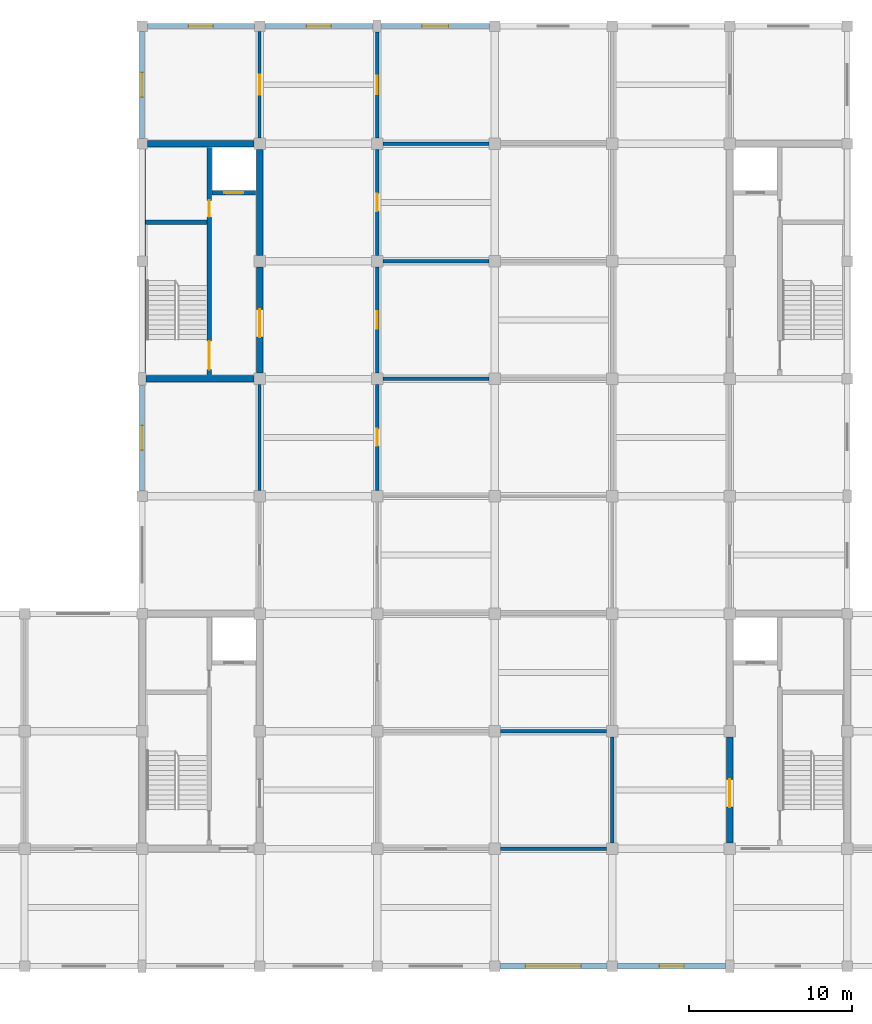
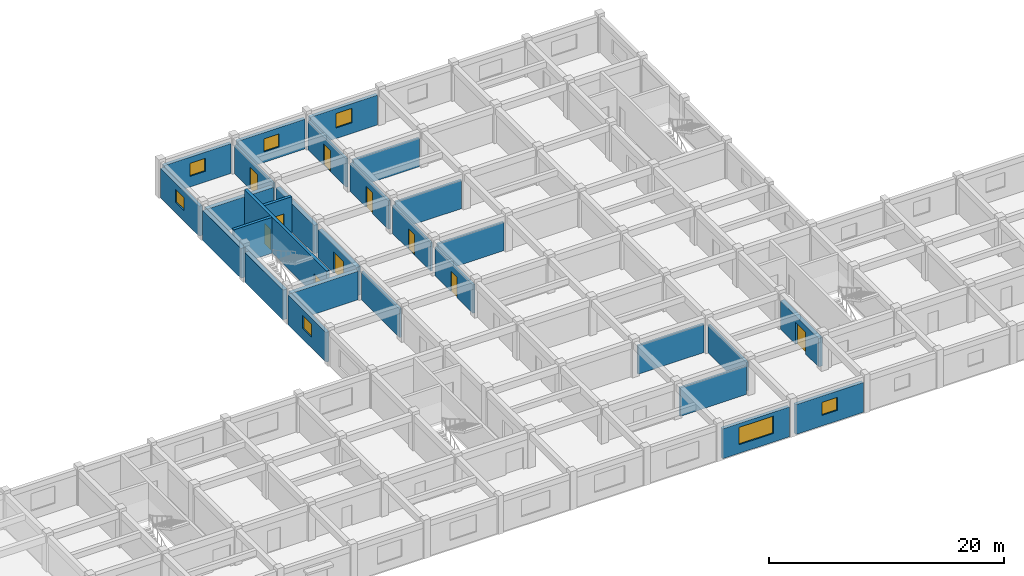
# One storey, part 6 of 11: 29 walls, 10 doors, 7 windows, 17 openings.
"""IFC4 building model written with IfcOpenShell, lengths in metres."""

from ifc_helpers import new_model, si_unit, direction, frame, frame_2d, origin, place, context, subcontext, project, spatial, rectangle, extrude, material, layer, layer_set, type_object, element, fill, save


model = new_model("IFC4")

# Units and contexts
model_context = context("Model", 3, precision=1e-05, world=origin(), true_north=direction((0.0, 1.0)))
body_context = subcontext(model_context, "Body", "Model", "MODEL_VIEW")
ifc_project = project(units=[si_unit("LENGTHUNIT", "METRE"), si_unit("AREAUNIT", "SQUARE_METRE"), si_unit("VOLUMEUNIT", "CUBIC_METRE"), si_unit("PLANEANGLEUNIT", "RADIAN"), si_unit("MASSUNIT", "GRAM", prefix="KILO")], contexts=[model_context])

# Site, building, storey
site_placement = place(None, origin())
site = spatial("IfcSite", under=ifc_project, at=site_placement, CompositionType="ELEMENT")
building_placement = place(site_placement, origin())
building = spatial("IfcBuilding", under=site, at=building_placement, Name="Cendaluz Park School", CompositionType="ELEMENT")
storey_placement = place(building_placement, frame((0.0, 0.0, 26.60009765625)))
storey = spatial("IfcBuildingStorey", under=building, at=storey_placement, Name="L06", CompositionType="ELEMENT", Elevation=26.60009765625)

# Wall
ifc_material_1 = material(Name="Gypsum Plasterboard on Cold-Formed Stud", Category="gypsum")
ifc_layer_1 = layer(ifc_material_1, 0.199951171875)
ifc_layer_set_1 = layer_set([ifc_layer_1], Name="Gypsum Plasterboard on Cold-Formed Stud")
wall_type_1 = type_object("IfcWallType", Name="W-AC20", PredefinedType="PARTITIONING", material=ifc_layer_set_1)
wall_1_placement = place(storey_placement, frame((72.0, 36.35009765625, 0.0), z_axis=(0.0, 0.0, 1.0), x_axis=(0.0, 1.0, 0.0)))
element("IfcWall", 1, at=wall_1_placement, inside=storey, type_object=wall_type_1, Name="WL-FG-BQ3", PredefinedType="PARTITIONING", context=body_context, shape_type="SweptSolid", body=[
    extrude(rectangle(XDim=6.5, YDim=0.199951171875, at=frame_2d((3.25, 0.0))), origin(), (0.0, 0.0, 1.0), 2.9599609375),
])

# Wall, opening, door
wall_2_placement = place(storey_placement, frame((72.0, 57.949951171875, 0.0), z_axis=(0.0, 0.0, 1.0), x_axis=(0.0, 1.0, 0.0)))
wall_2 = element("IfcWall", 2, at=wall_2_placement, inside=storey, type_object=wall_type_1, Name="WL-FG-BQ4", PredefinedType="PARTITIONING", context=body_context, shape_type="SweptSolid", body=[
    extrude(rectangle(XDim=6.525146484375, YDim=0.199951171875, at=frame_2d((3.2626953125, 0.0))), origin(), (0.0, 0.0, 1.0), 2.9599609375),
])
opening_1_placement = place(wall_2_placement, frame((2.642578125, 0.0, 0.0)))
opening_1 = element("IfcOpeningElement", 3, at=opening_1_placement, cuts=wall_2, Name="Opening DCL-09", PredefinedType="OPENING", context=body_context, shape_type="SweptSolid", body=[
    extrude(rectangle(XDim=1.239990234375, YDim=2.260009765625, at=frame_2d((0.6201171875, 1.1298828125))), frame((0.0, 0.112060546875, 0.0), z_axis=(0.0, -1.0, 0.0), x_axis=(1.0, 0.0, 0.0)), (0.0, 0.0, 1.0), 0.223876953125),
])
ifc_material_2 = material(Name="Solid Core Hardwood", Category="wood")
door_type_1 = type_object("IfcDoorType", Name="DCL-09", OperationType="NOTDEFINED", PredefinedType="DOOR", material=ifc_material_2)
door_1_placement = place(opening_1_placement, origin())
door_1 = element("IfcDoor", 4, at=door_1_placement, inside=storey, type_object=door_type_1, Name="D-L06-038", OperationType="SINGLE_SWING_RIGHT", OverallHeight=2.260009765625, OverallWidth=1.239990234375, PredefinedType="DOOR", context=body_context, shape_type="SweptSolid", body=[
    extrude(rectangle(XDim=1.239990234375, YDim=2.260009765625, at=frame_2d((0.6201171875, 1.1298828125))), frame((0.0, 0.02490234375, 0.0), z_axis=(0.0, -1.0, 0.0), x_axis=(1.0, 0.0, 0.0)), (0.0, 0.0, 1.0), 0.050048828125),
])
fill(opening_1, door_1)

# Walls
for number, where, z_axis, x_axis, name in (
    (5, (86.75, 14.39990234375, 0.0), (0.0, 0.0, 1.0), (1.0, 0.0, 0.0), "WL-FG-BQ8"),
    (6, (86.75, 21.60009765625, 0.0), (0.0, 0.0, 1.0), (1.0, 0.0, 0.0), "WL-FG-BQ9"),
    (7, (93.60009765625, 14.75, 0.0), (0.0, 0.0, 1.0), (0.0, 1.0, 0.0), "WL-FG-BR0"),
    (8, (79.550048828125, 43.199951171875, 0.0), (0.0, 0.0, 1.0), (1.0, 0.0, 0.0), "WL-FG-BR9"),
):
    element("IfcWall", number, at=place(storey_placement, frame(where, z_axis=z_axis, x_axis=x_axis)), inside=storey, type_object=wall_type_1, Name=name, PredefinedType="PARTITIONING", context=body_context, shape_type="SweptSolid", body=[
        extrude(rectangle(XDim=6.5, YDim=0.199951171875, at=frame_2d((3.25, 0.0))), origin(), (0.0, 0.0, 1.0), 2.9599609375),
    ])

# Wall, opening, door
wall_3_placement = place(storey_placement, frame((79.199951171875, 36.35009765625, 0.0), z_axis=(0.0, 0.0, 1.0), x_axis=(0.0, 1.0, 0.0)))
wall_3 = element("IfcWall", 9, at=wall_3_placement, inside=storey, type_object=wall_type_1, Name="WL-FG-BS0", PredefinedType="PARTITIONING", context=body_context, shape_type="SweptSolid", body=[
    extrude(rectangle(XDim=6.5, YDim=0.199951171875, at=frame_2d((3.25, 0.0))), origin(), (0.0, 0.0, 1.0), 2.9599609375),
])
opening_2_placement = place(wall_3_placement, frame((2.72998046875, 0.0, 0.0)))
opening_2 = element("IfcOpeningElement", 10, at=opening_2_placement, cuts=wall_3, Name="Opening DCL-03", PredefinedType="OPENING", context=body_context, shape_type="SweptSolid", body=[
    extrude(rectangle(XDim=1.0400390625, YDim=2.139892578125, at=frame_2d((0.52001953125, 1.06982421875))), frame((0.0, 0.112060546875, 0.0), z_axis=(0.0, -1.0, 0.0), x_axis=(1.0, 0.0, 0.0)), (0.0, 0.0, 1.0), 0.223876953125),
])
door_type_2 = type_object("IfcDoorType", Name="DCL-03", OperationType="NOTDEFINED", PredefinedType="DOOR", material=ifc_material_2)
door_2_placement = place(opening_2_placement, frame((1.0400390625, 0.0, 0.0), z_axis=(0.0, 0.0, 1.0), x_axis=(-1.0, 0.0, 0.0)))
door_2 = element("IfcDoor", 11, at=door_2_placement, inside=storey, type_object=door_type_2, Name="D-L06-042", OperationType="SINGLE_SWING_RIGHT", OverallHeight=2.139892578125, OverallWidth=1.0400390625, PredefinedType="DOOR", context=body_context, shape_type="SweptSolid", body=[
    extrude(rectangle(XDim=1.0400390625, YDim=2.139892578125, at=frame_2d((0.52001953125, 1.06982421875))), frame((0.0, 0.02490234375, 0.0), z_axis=(0.0, -1.0, 0.0), x_axis=(1.0, 0.0, 0.0)), (0.0, 0.0, 1.0), 0.050048828125),
])
fill(opening_2, door_2)

# Wall
wall_4_placement = place(storey_placement, frame((79.550048828125, 50.39990234375, 0.0), z_axis=(0.0, 0.0, 1.0), x_axis=(1.0, 0.0, 0.0)))
element("IfcWall", 12, at=wall_4_placement, inside=storey, type_object=wall_type_1, Name="WL-FG-BS3", PredefinedType="PARTITIONING", context=body_context, shape_type="SweptSolid", body=[
    extrude(rectangle(XDim=6.5, YDim=0.199951171875, at=frame_2d((3.25, 0.0))), origin(), (0.0, 0.0, 1.0), 2.9599609375),
])

# Wall, opening, door
wall_5_placement = place(storey_placement, frame((79.199951171875, 43.550048828125, 0.0), z_axis=(0.0, 0.0, 1.0), x_axis=(0.0, 1.0, 0.0)))
wall_5 = element("IfcWall", 13, at=wall_5_placement, inside=storey, type_object=wall_type_1, Name="WL-FG-BS4", PredefinedType="PARTITIONING", context=body_context, shape_type="SweptSolid", body=[
    extrude(rectangle(XDim=6.5, YDim=0.199951171875, at=frame_2d((3.25, 0.0))), origin(), (0.0, 0.0, 1.0), 2.9599609375),
])
opening_3_placement = place(wall_5_placement, frame((2.719970703125, 0.0, 0.0)))
opening_3 = element("IfcOpeningElement", 14, at=opening_3_placement, cuts=wall_5, Name="Opening DCL-04", PredefinedType="OPENING", context=body_context, shape_type="SweptSolid", body=[
    extrude(rectangle(XDim=1.06005859375, YDim=2.159912109375, at=frame_2d((0.530029296875, 1.080078125))), frame((0.0, 0.112060546875, 0.0), z_axis=(0.0, -1.0, 0.0), x_axis=(1.0, 0.0, 0.0)), (0.0, 0.0, 1.0), 0.223876953125),
])
door_type_3 = type_object("IfcDoorType", Name="DCL-04", OperationType="NOTDEFINED", PredefinedType="DOOR", material=ifc_material_2)
door_3_placement = place(opening_3_placement, frame((1.06005859375, 0.0, 0.0), z_axis=(0.0, 0.0, 1.0), x_axis=(-1.0, 0.0, 0.0)))
door_3 = element("IfcDoor", 15, at=door_3_placement, inside=storey, type_object=door_type_3, Name="D-L06-043", OperationType="SINGLE_SWING_LEFT", OverallHeight=2.159912109375, OverallWidth=1.06005859375, PredefinedType="DOOR", context=body_context, shape_type="SweptSolid", body=[
    extrude(rectangle(XDim=1.06005859375, YDim=2.159912109375, at=frame_2d((0.530029296875, 1.080078125))), frame((0.0, 0.02490234375, 0.0), z_axis=(0.0, -1.0, 0.0), x_axis=(1.0, 0.0, 0.0)), (0.0, 0.0, 1.0), 0.050048828125),
])
fill(opening_3, door_3)

# Wall
wall_6_placement = place(storey_placement, frame((79.550048828125, 57.60009765625, 0.0), z_axis=(0.0, 0.0, 1.0), x_axis=(1.0, 0.0, 0.0)))
element("IfcWall", 16, at=wall_6_placement, inside=storey, type_object=wall_type_1, Name="WL-FG-BS7", PredefinedType="PARTITIONING", context=body_context, shape_type="SweptSolid", body=[
    extrude(rectangle(XDim=6.5, YDim=0.199951171875, at=frame_2d((3.25, 0.0))), origin(), (0.0, 0.0, 1.0), 2.9599609375),
])

# Wall, opening, door
wall_7_placement = place(storey_placement, frame((79.199951171875, 50.75, 0.0), z_axis=(0.0, 0.0, 1.0), x_axis=(0.0, 1.0, 0.0)))
wall_7 = element("IfcWall", 17, at=wall_7_placement, inside=storey, type_object=wall_type_1, Name="WL-FG-BS8", PredefinedType="PARTITIONING", context=body_context, shape_type="SweptSolid", body=[
    extrude(rectangle(XDim=6.5, YDim=0.199951171875, at=frame_2d((3.25, 0.0))), origin(), (0.0, 0.0, 1.0), 2.9599609375),
])
opening_4_placement = place(wall_7_placement, frame((2.7099609375, 0.0, 0.0)))
opening_4 = element("IfcOpeningElement", 18, at=opening_4_placement, cuts=wall_7, Name="Opening DCL-05", PredefinedType="OPENING", context=body_context, shape_type="SweptSolid", body=[
    extrude(rectangle(XDim=1.080078125, YDim=2.179931640625, at=frame_2d((0.5400390625, 1.08984375))), frame((0.0, 0.112060546875, 0.0), z_axis=(0.0, -1.0, 0.0), x_axis=(1.0, 0.0, 0.0)), (0.0, 0.0, 1.0), 0.223876953125),
])
door_type_4 = type_object("IfcDoorType", Name="DCL-05", OperationType="NOTDEFINED", PredefinedType="DOOR", material=ifc_material_2)
door_4_placement = place(opening_4_placement, frame((1.080078125, 0.0, 0.0), z_axis=(0.0, 0.0, 1.0), x_axis=(-1.0, 0.0, 0.0)))
door_4 = element("IfcDoor", 19, at=door_4_placement, inside=storey, type_object=door_type_4, Name="D-L06-044", OperationType="SINGLE_SWING_RIGHT", OverallHeight=2.179931640625, OverallWidth=1.080078125, PredefinedType="DOOR", context=body_context, shape_type="SweptSolid", body=[
    extrude(rectangle(XDim=1.080078125, YDim=2.179931640625, at=frame_2d((0.5400390625, 1.08984375))), frame((0.0, 0.02490234375, 0.0), z_axis=(0.0, -1.0, 0.0), x_axis=(1.0, 0.0, 0.0)), (0.0, 0.0, 1.0), 0.050048828125),
])
fill(opening_4, door_4)

wall_8_placement = place(storey_placement, frame((79.199951171875, 57.949951171875, 0.0), z_axis=(0.0, 0.0, 1.0), x_axis=(0.0, 1.0, 0.0)))
wall_8 = element("IfcWall", 20, at=wall_8_placement, inside=storey, type_object=wall_type_1, Name="WL-FG-BT1", PredefinedType="PARTITIONING", context=body_context, shape_type="SweptSolid", body=[
    extrude(rectangle(XDim=6.47509765625, YDim=0.199951171875, at=frame_2d((3.237548828125, 0.0))), origin(), (0.0, 0.0, 1.0), 2.9599609375),
])
opening_5_placement = place(wall_8_placement, frame((2.677490234375, 0.0, 0.0)))
opening_5 = element("IfcOpeningElement", 21, at=opening_5_placement, cuts=wall_8, Name="Opening DCL-06", PredefinedType="OPENING", context=body_context, shape_type="SweptSolid", body=[
    extrude(rectangle(XDim=1.1201171875, YDim=2.199951171875, at=frame_2d((0.56005859375, 1.10009765625))), frame((0.0, 0.112060546875, 0.0), z_axis=(0.0, -1.0, 0.0), x_axis=(1.0, 0.0, 0.0)), (0.0, 0.0, 1.0), 0.223876953125),
])
door_type_5 = type_object("IfcDoorType", Name="DCL-06", OperationType="NOTDEFINED", PredefinedType="DOOR", material=ifc_material_2)
door_5_placement = place(opening_5_placement, frame((1.1201171875, 0.0, 0.0), z_axis=(0.0, 0.0, 1.0), x_axis=(-1.0, 0.0, 0.0)))
door_5 = element("IfcDoor", 22, at=door_5_placement, inside=storey, type_object=door_type_5, Name="D-L06-045", OperationType="SINGLE_SWING_LEFT", OverallHeight=2.199951171875, OverallWidth=1.1201171875, PredefinedType="DOOR", context=body_context, shape_type="SweptSolid", body=[
    extrude(rectangle(XDim=1.1201171875, YDim=2.199951171875, at=frame_2d((0.56005859375, 1.10009765625))), frame((0.0, 0.02490234375, 0.0), z_axis=(0.0, -1.0, 0.0), x_axis=(1.0, 0.0, 0.0)), (0.0, 0.0, 1.0), 0.050048828125),
])
fill(opening_5, door_5)

# Wall, opening, window
ifc_material_3 = material(Name="Concrete C40/50 precast", Category="concrete")
ifc_layer_2 = layer(ifc_material_3, 0.320068359375)
ifc_layer_set_2 = layer_set([ifc_layer_2], Name="Concrete C40/50 precast")
wall_type_2 = type_object("IfcWallType", Name="W-EX32", PredefinedType="SOLIDWALL", material=ifc_layer_set_2)
wall_9_placement = place(storey_placement, frame((64.800048828125, 36.324951171875, 0.0), z_axis=(0.0, 0.0, 1.0), x_axis=(0.0, 1.0, 0.0)))
wall_9 = element("IfcWall", 23, at=wall_9_placement, inside=storey, type_object=wall_type_2, Name="WL-FG-AB6", PredefinedType="SOLIDWALL", context=body_context, shape_type="SweptSolid", body=[
    extrude(rectangle(XDim=6.5, YDim=0.320068359375, at=frame_2d((3.25, 0.0))), origin(), (0.0, 0.0, 1.0), 3.099853515625),
])
opening_6_placement = place(wall_9_placement, frame((2.5, 0.0, 1.10009765625)))
opening_6 = element("IfcOpeningElement", 24, at=opening_6_placement, cuts=wall_9, Name="Opening WN-20", PredefinedType="OPENING", context=body_context, shape_type="SweptSolid", body=[
    extrude(rectangle(XDim=1.5, YDim=1.35009765625, at=frame_2d((0.75, 0.675048828125))), frame((0.0, 0.172119140625, 0.0), z_axis=(0.0, -1.0, 0.0), x_axis=(1.0, 0.0, 0.0)), (0.0, 0.0, 1.0), 0.343994140625),
])
ifc_material_4 = material(Name="Tempered Low-E Double Glazing", Category="glass")
window_type_1 = type_object("IfcWindowType", Name="WN-20", PartitioningType="SINGLE_PANEL", PredefinedType="WINDOW", material=ifc_material_4)
window_1_placement = place(opening_6_placement, origin())
window_1 = element("IfcWindow", 25, at=window_1_placement, inside=storey, type_object=window_type_1, Name="WN-L06-017", OverallHeight=1.35009765625, OverallWidth=1.5, PartitioningType="SINGLE_PANEL", PredefinedType="WINDOW", context=body_context, shape_type="SweptSolid", body=[
    extrude(rectangle(XDim=1.5, YDim=1.35009765625, at=frame_2d((0.75, 0.675048828125))), frame((0.0, 0.030029296875, 0.0), z_axis=(0.0, -1.0, 0.0), x_axis=(1.0, 0.0, 0.0)), (0.0, 0.0, 1.0), 0.06005859375),
])
fill(opening_6, window_1)

wall_10_placement = place(storey_placement, frame((65.125, 64.800048828125, 0.0), z_axis=(0.0, 0.0, 1.0), x_axis=(1.0, 0.0, 0.0)))
wall_10 = element("IfcWall", 26, at=wall_10_placement, inside=storey, type_object=wall_type_2, Name="WL-FG-AB7", PredefinedType="SOLIDWALL", context=body_context, shape_type="SweptSolid", body=[
    extrude(rectangle(XDim=6.550048828125, YDim=0.320068359375, at=frame_2d((3.27490234375, 0.0))), origin(), (0.0, 0.0, 1.0), 3.099853515625),
])
opening_7_placement = place(wall_10_placement, frame((2.52490234375, 0.0, 1.10009765625)))
opening_7 = element("IfcOpeningElement", 27, at=opening_7_placement, cuts=wall_10, Name="Opening WN-20", PredefinedType="OPENING", context=body_context, shape_type="SweptSolid", body=[
    extrude(rectangle(XDim=1.5, YDim=1.35009765625, at=frame_2d((0.75, 0.675048828125))), frame((0.0, 0.172119140625, 0.0), z_axis=(0.0, -1.0, 0.0), x_axis=(1.0, 0.0, 0.0)), (0.0, 0.0, 1.0), 0.343994140625),
])
window_2_placement = place(opening_7_placement, origin())
window_2 = element("IfcWindow", 28, at=window_2_placement, inside=storey, type_object=window_type_1, Name="WN-L06-018", OverallHeight=1.35009765625, OverallWidth=1.5, PartitioningType="SINGLE_PANEL", PredefinedType="WINDOW", context=body_context, shape_type="SweptSolid", body=[
    extrude(rectangle(XDim=1.5, YDim=1.35009765625, at=frame_2d((0.75, 0.675048828125))), frame((0.0, 0.030029296875, 0.0), z_axis=(0.0, -1.0, 0.0), x_axis=(1.0, 0.0, 0.0)), (0.0, 0.0, 1.0), 0.06005859375),
])
fill(opening_7, window_2)

wall_11_placement = place(storey_placement, frame((64.800048828125, 57.925048828125, 0.0), z_axis=(0.0, 0.0, 1.0), x_axis=(0.0, 1.0, 0.0)))
wall_11 = element("IfcWall", 29, at=wall_11_placement, inside=storey, type_object=wall_type_2, Name="WL-FG-AB8", PredefinedType="SOLIDWALL", context=body_context, shape_type="SweptSolid", body=[
    extrude(rectangle(XDim=6.550048828125, YDim=0.320068359375, at=frame_2d((3.27490234375, 0.0))), origin(), (0.0, 0.0, 1.0), 3.099853515625),
])
opening_8_placement = place(wall_11_placement, frame((2.52490234375, 0.0, 1.10009765625)))
opening_8 = element("IfcOpeningElement", 30, at=opening_8_placement, cuts=wall_11, Name="Opening WN-20", PredefinedType="OPENING", context=body_context, shape_type="SweptSolid", body=[
    extrude(rectangle(XDim=1.5, YDim=1.35009765625, at=frame_2d((0.75, 0.675048828125))), frame((0.0, 0.172119140625, 0.0), z_axis=(0.0, -1.0, 0.0), x_axis=(1.0, 0.0, 0.0)), (0.0, 0.0, 1.0), 0.343994140625),
])
window_3_placement = place(opening_8_placement, origin())
window_3 = element("IfcWindow", 31, at=window_3_placement, inside=storey, type_object=window_type_1, Name="WN-L06-019", OverallHeight=1.35009765625, OverallWidth=1.5, PartitioningType="SINGLE_PANEL", PredefinedType="WINDOW", context=body_context, shape_type="SweptSolid", body=[
    extrude(rectangle(XDim=1.5, YDim=1.35009765625, at=frame_2d((0.75, 0.675048828125))), frame((0.0, 0.030029296875, 0.0), z_axis=(0.0, -1.0, 0.0), x_axis=(1.0, 0.0, 0.0)), (0.0, 0.0, 1.0), 0.06005859375),
])
fill(opening_8, window_3)

wall_12_placement = place(storey_placement, frame((72.324951171875, 64.800048828125, 0.0), z_axis=(0.0, 0.0, 1.0), x_axis=(1.0, 0.0, 0.0)))
wall_12 = element("IfcWall", 32, at=wall_12_placement, inside=storey, type_object=wall_type_2, Name="WL-FG-AC0", PredefinedType="SOLIDWALL", context=body_context, shape_type="SweptSolid", body=[
    extrude(rectangle(XDim=6.625, YDim=0.320068359375, at=frame_2d((3.3125, 0.0))), origin(), (0.0, 0.0, 1.0), 3.099853515625),
])
opening_9_placement = place(wall_12_placement, frame((2.5625, 0.0, 1.10009765625)))
opening_9 = element("IfcOpeningElement", 33, at=opening_9_placement, cuts=wall_12, Name="Opening WN-20", PredefinedType="OPENING", context=body_context, shape_type="SweptSolid", body=[
    extrude(rectangle(XDim=1.5, YDim=1.35009765625, at=frame_2d((0.75, 0.675048828125))), frame((0.0, 0.172119140625, 0.0), z_axis=(0.0, -1.0, 0.0), x_axis=(1.0, 0.0, 0.0)), (0.0, 0.0, 1.0), 0.343994140625),
])
window_4_placement = place(opening_9_placement, origin())
window_4 = element("IfcWindow", 34, at=window_4_placement, inside=storey, type_object=window_type_1, Name="WN-L06-021", OverallHeight=1.35009765625, OverallWidth=1.5, PartitioningType="SINGLE_PANEL", PredefinedType="WINDOW", context=body_context, shape_type="SweptSolid", body=[
    extrude(rectangle(XDim=1.5, YDim=1.35009765625, at=frame_2d((0.75, 0.675048828125))), frame((0.0, 0.030029296875, 0.0), z_axis=(0.0, -1.0, 0.0), x_axis=(1.0, 0.0, 0.0)), (0.0, 0.0, 1.0), 0.06005859375),
])
fill(opening_9, window_4)

wall_13_placement = place(storey_placement, frame((79.449951171875, 64.800048828125, 0.0), z_axis=(0.0, 0.0, 1.0), x_axis=(1.0, 0.0, 0.0)))
wall_13 = element("IfcWall", 35, at=wall_13_placement, inside=storey, type_object=wall_type_2, Name="WL-FG-AC2", PredefinedType="SOLIDWALL", context=body_context, shape_type="SweptSolid", body=[
    extrude(rectangle(XDim=6.625, YDim=0.320068359375, at=frame_2d((3.3125, 0.0))), origin(), (0.0, 0.0, 1.0), 3.099853515625),
])
opening_10_placement = place(wall_13_placement, frame((2.512451171875, 0.0, 1.10009765625)))
opening_10 = element("IfcOpeningElement", 36, at=opening_10_placement, cuts=wall_13, Name="Opening WN-16", PredefinedType="OPENING", context=body_context, shape_type="SweptSolid", body=[
    extrude(rectangle(XDim=1.60009765625, YDim=1.5, at=frame_2d((0.800048828125, 0.75))), frame((0.0, 0.172119140625, 0.0), z_axis=(0.0, -1.0, 0.0), x_axis=(1.0, 0.0, 0.0)), (0.0, 0.0, 1.0), 0.343994140625),
])
window_type_2 = type_object("IfcWindowType", Name="WN-16", PartitioningType="SINGLE_PANEL", PredefinedType="WINDOW", material=ifc_material_4)
window_5_placement = place(opening_10_placement, origin())
window_5 = element("IfcWindow", 37, at=window_5_placement, inside=storey, type_object=window_type_2, Name="WN-L06-023", OverallHeight=1.5, OverallWidth=1.60009765625, PartitioningType="SINGLE_PANEL", PredefinedType="WINDOW", context=body_context, shape_type="SweptSolid", body=[
    extrude(rectangle(XDim=1.60009765625, YDim=1.5, at=frame_2d((0.800048828125, 0.75))), frame((0.0, 0.030029296875, 0.0), z_axis=(0.0, -1.0, 0.0), x_axis=(1.0, 0.0, 0.0)), (0.0, 0.0, 1.0), 0.06005859375),
])
fill(opening_10, window_5)

wall_14_placement = place(storey_placement, frame((86.72509765625, 7.199951171875, 0.0), z_axis=(0.0, 0.0, 1.0), x_axis=(1.0, 0.0, 0.0)))
wall_14 = element("IfcWall", 38, at=wall_14_placement, inside=storey, type_object=wall_type_2, Name="WL-FG-AC3", PredefinedType="SOLIDWALL", context=body_context, shape_type="SweptSolid", body=[
    extrude(rectangle(XDim=6.5498046875, YDim=0.320068359375, at=frame_2d((3.27490234375, 0.0))), origin(), (0.0, 0.0, 1.0), 3.099853515625),
])
opening_11_placement = place(wall_14_placement, frame((1.574951171875, 0.0, 0.89990234375)))
opening_11 = element("IfcOpeningElement", 39, at=opening_11_placement, cuts=wall_14, Name="Opening WN-09", PredefinedType="OPENING", context=body_context, shape_type="SweptSolid", body=[
    extrude(rectangle(XDim=3.39990234375, YDim=1.800048828125, at=frame_2d((1.699951171875, 0.89990234375))), frame((0.0, 0.172119140625, 0.0), z_axis=(0.0, -1.0, 0.0), x_axis=(1.0, 0.0, 0.0)), (0.0, 0.0, 1.0), 0.343994140625),
])
window_type_3 = type_object("IfcWindowType", Name="WN-09", PartitioningType="SINGLE_PANEL", PredefinedType="WINDOW", material=ifc_material_4)
window_6_placement = place(opening_11_placement, origin())
window_6 = element("IfcWindow", 40, at=window_6_placement, inside=storey, type_object=window_type_3, Name="WN-L06-024", OverallHeight=1.800048828125, OverallWidth=3.39990234375, PartitioningType="SINGLE_PANEL", PredefinedType="WINDOW", context=body_context, shape_type="SweptSolid", body=[
    extrude(rectangle(XDim=3.39990234375, YDim=1.800048828125, at=frame_2d((1.699951171875, 0.89990234375))), frame((0.0, 0.030029296875, 0.0), z_axis=(0.0, -1.0, 0.0), x_axis=(1.0, 0.0, 0.0)), (0.0, 0.0, 1.0), 0.06005859375),
])
fill(opening_11, window_6)

wall_15_placement = place(storey_placement, frame((93.925048828125, 7.199951171875, 0.0), z_axis=(0.0, 0.0, 1.0), x_axis=(1.0, 0.0, 0.0)))
wall_15 = element("IfcWall", 41, at=wall_15_placement, inside=storey, type_object=wall_type_2, Name="WL-FG-AC5", PredefinedType="SOLIDWALL", context=body_context, shape_type="SweptSolid", body=[
    extrude(rectangle(XDim=6.625, YDim=0.320068359375, at=frame_2d((3.3125, 0.0))), origin(), (0.0, 0.0, 1.0), 3.099853515625),
])
opening_12_placement = place(wall_15_placement, frame((2.5625, 0.0, 1.10009765625)))
opening_12 = element("IfcOpeningElement", 42, at=opening_12_placement, cuts=wall_15, Name="Opening WN-20", PredefinedType="OPENING", context=body_context, shape_type="SweptSolid", body=[
    extrude(rectangle(XDim=1.5, YDim=1.35009765625, at=frame_2d((0.75, 0.675048828125))), frame((0.0, 0.172119140625, 0.0), z_axis=(0.0, -1.0, 0.0), x_axis=(1.0, 0.0, 0.0)), (0.0, 0.0, 1.0), 0.343994140625),
])
window_7_placement = place(opening_12_placement, origin())
window_7 = element("IfcWindow", 43, at=window_7_placement, inside=storey, type_object=window_type_1, Name="WN-L06-026", OverallHeight=1.35009765625, OverallWidth=1.5, PartitioningType="SINGLE_PANEL", PredefinedType="WINDOW", context=body_context, shape_type="SweptSolid", body=[
    extrude(rectangle(XDim=1.5, YDim=1.35009765625, at=frame_2d((0.75, 0.675048828125))), frame((0.0, 0.030029296875, 0.0), z_axis=(0.0, -1.0, 0.0), x_axis=(1.0, 0.0, 0.0)), (0.0, 0.0, 1.0), 0.06005859375),
])
fill(opening_12, window_7)

# Wall, openings, doors
ifc_material_5 = material(Name="Concrete C40/50", Category="concrete")
ifc_layer_3 = layer(ifc_material_5, 0.280029296875)
ifc_layer_set_3 = layer_set([ifc_layer_3], Name="Concrete C40/50")
wall_type_3 = type_object("IfcWallType", Name="W-FW28", PredefinedType="SHEAR", material=ifc_layer_set_3)
wall_16_placement = place(storey_placement, frame((68.919921875, 43.39990234375, 0.0), z_axis=(0.0, 0.0, 1.0), x_axis=(0.0, 1.0, 0.0)))
wall_16 = element("IfcWall", 44, at=wall_16_placement, inside=storey, type_object=wall_type_3, Name="WL-FG-BL0", PredefinedType="SHEAR", context=body_context, shape_type="SweptSolid", body=[
    extrude(rectangle(XDim=14.0, YDim=0.280029296875, at=frame_2d((7.0, 0.0))), origin(), (0.0, 0.0, 1.0), 3.72998046875),
])
opening_13_placement = place(wall_16_placement, frame((0.35009765625, 0.0, 0.0)))
opening_13 = element("IfcOpeningElement", 45, at=opening_13_placement, cuts=wall_16, Name="Opening DST-03", PredefinedType="OPENING", context=body_context, shape_type="SweptSolid", body=[
    extrude(rectangle(XDim=1.75, YDim=2.14990234375, at=frame_2d((0.875, 1.074951171875))), frame((0.0, 0.152099609375, 0.0), z_axis=(0.0, -1.0, 0.0), x_axis=(1.0, 0.0, 0.0)), (0.0, 0.0, 1.0), 0.303955078125),
])
opening_14_placement = place(wall_16_placement, frame((9.719970703125, 0.0, 0.0)))
opening_14 = element("IfcOpeningElement", 46, at=opening_14_placement, cuts=wall_16, Name="Opening DFC-01", PredefinedType="OPENING", context=body_context, shape_type="SweptSolid", body=[
    extrude(rectangle(XDim=1.0, YDim=2.14990234375, at=frame_2d((0.5, 1.074951171875))), frame((0.0, 0.152099609375, 0.0), z_axis=(0.0, -1.0, 0.0), x_axis=(1.0, 0.0, 0.0)), (0.0, 0.0, 1.0), 0.303955078125),
])
door_type_6 = type_object("IfcDoorType", Name="DFC-01", OperationType="NOTDEFINED", PredefinedType="DOOR", material=ifc_material_2)
door_6_placement = place(opening_14_placement, origin())
door_6 = element("IfcDoor", 47, at=door_6_placement, inside=storey, type_object=door_type_6, Name="D-L06-013", OperationType="SINGLE_SWING_RIGHT", OverallHeight=2.14990234375, OverallWidth=1.0, PredefinedType="DOOR", context=body_context, shape_type="SweptSolid", body=[
    extrude(rectangle(XDim=1.0, YDim=2.14990234375, at=frame_2d((0.5, 1.074951171875))), frame((0.0, 0.02490234375, 0.0), z_axis=(0.0, -1.0, 0.0), x_axis=(1.0, 0.0, 0.0)), (0.0, 0.0, 1.0), 0.050048828125),
])
fill(opening_14, door_6)
door_type_7 = type_object("IfcDoorType", Name="DST-03", OperationType="DOUBLE_DOOR_SINGLE_SWING", PredefinedType="DOOR", material=ifc_material_2)
door_7_placement = place(opening_13_placement, origin())
door_7 = element("IfcDoor", 48, at=door_7_placement, inside=storey, type_object=door_type_7, Name="D-L06-012", OperationType="DOUBLE_DOOR_SINGLE_SWING", OverallHeight=2.14990234375, OverallWidth=1.75, PredefinedType="DOOR", context=body_context, shape_type="SweptSolid", body=[
    extrude(rectangle(XDim=1.75, YDim=2.14990234375, at=frame_2d((0.875, 1.074951171875))), frame((0.0, 0.02490234375, 0.0), z_axis=(0.0, -1.0, 0.0), x_axis=(1.0, 0.0, 0.0)), (0.0, 0.0, 1.0), 0.050048828125),
])
fill(opening_13, door_7)

# Wall
wall_17_placement = place(storey_placement, frame((65.0, 52.780029296875, 0.0), z_axis=(0.0, 0.0, 1.0), x_axis=(1.0, 0.0, 0.0)))
element("IfcWall", 49, at=wall_17_placement, inside=storey, type_object=wall_type_3, Name="WL-FG-BL1", PredefinedType="SHEAR", context=body_context, shape_type="SweptSolid", body=[
    extrude(rectangle(XDim=3.780029296875, YDim=0.280029296875, at=frame_2d((1.89013671875, 0.0))), origin(), (0.0, 0.0, 1.0), 3.72998046875),
])

# Wall, opening, door
wall_18_placement = place(storey_placement, frame((69.080078125, 54.60009765625, 0.0), z_axis=(0.0, 0.0, 1.0), x_axis=(1.0, 0.0, 0.0)))
wall_18 = element("IfcWall", 50, at=wall_18_placement, inside=storey, type_object=wall_type_3, Name="WL-FG-BL2", PredefinedType="SHEAR", context=body_context, shape_type="SweptSolid", body=[
    extrude(rectangle(XDim=2.679931640625, YDim=0.280029296875, at=frame_2d((1.33984375, 0.0))), origin(), (0.0, 0.0, 1.0), 3.72998046875),
])
opening_15_placement = place(wall_18_placement, frame((0.764892578125, 0.0, 0.0)))
opening_15 = element("IfcOpeningElement", 51, at=opening_15_placement, cuts=wall_18, Name="Opening LD-01", PredefinedType="OPENING", context=body_context, shape_type="SweptSolid", body=[
    extrude(rectangle(XDim=1.14990234375, YDim=2.199951171875, at=frame_2d((0.574951171875, 1.10009765625))), frame((0.0, 0.152099609375, 0.0), z_axis=(0.0, -1.0, 0.0), x_axis=(1.0, 0.0, 0.0)), (0.0, 0.0, 1.0), 0.303955078125),
])
ifc_material_6 = material(Name="Stainless Steel 316L", Category="steel")
door_type_8 = type_object("IfcDoorType", Name="LD-01", OperationType="DOUBLE_DOOR_SLIDING", PredefinedType="DOOR", material=ifc_material_6)
door_8_placement = place(opening_15_placement, frame((1.14990234375, 0.0, 0.0), z_axis=(0.0, 0.0, 1.0), x_axis=(-1.0, 0.0, 0.0)))
door_8 = element("IfcDoor", 52, at=door_8_placement, inside=storey, type_object=door_type_8, Name="D-L06-014", OperationType="DOUBLE_DOOR_SLIDING", OverallHeight=2.199951171875, OverallWidth=1.14990234375, PredefinedType="DOOR", context=body_context, shape_type="SweptSolid", body=[
    extrude(rectangle(XDim=1.14990234375, YDim=2.199951171875, at=frame_2d((0.574951171875, 1.10009765625))), frame((0.0, 0.02490234375, 0.0), z_axis=(0.0, -1.0, 0.0), x_axis=(1.0, 0.0, 0.0)), (0.0, 0.0, 1.0), 0.050048828125),
])
fill(opening_15, door_8)

ifc_layer_4 = layer(ifc_material_5, 0.39990234375)
ifc_layer_set_4 = layer_set([ifc_layer_4], Name="Concrete C40/50")
wall_type_4 = type_object("IfcWallType", Name="W-SH40", PredefinedType="SHEAR", material=ifc_layer_set_4)
wall_19_placement = place(storey_placement, frame((100.800048828125, 14.75, 0.0), z_axis=(0.0, 0.0, 1.0), x_axis=(0.0, 1.0, 0.0)))
wall_19 = element("IfcWall", 53, at=wall_19_placement, inside=storey, type_object=wall_type_4, Name="WL-FG-BJ5", PredefinedType="SHEAR", context=body_context, shape_type="SweptSolid", body=[
    extrude(rectangle(XDim=6.5, YDim=0.39990234375, at=frame_2d((3.25, 0.0))), origin(), (0.0, 0.0, 1.0), 2.9599609375),
])
opening_16_placement = place(wall_19_placement, frame((2.199951171875, 0.0, 0.0)))
opening_16 = element("IfcOpeningElement", 54, at=opening_16_placement, cuts=wall_19, Name="Opening DLB-02", PredefinedType="OPENING", context=body_context, shape_type="SweptSolid", body=[
    extrude(rectangle(XDim=1.699951171875, YDim=2.25, at=frame_2d((0.85009765625, 1.125))), frame((0.0, 0.2119140625, 0.0), z_axis=(0.0, -1.0, 0.0), x_axis=(1.0, 0.0, 0.0)), (0.0, 0.0, 1.0), 0.423828125),
])
door_type_9 = type_object("IfcDoorType", Name="DLB-02", OperationType="DOUBLE_DOOR_SINGLE_SWING", PredefinedType="DOOR", material=ifc_material_2)
door_9_placement = place(opening_16_placement, frame((1.699951171875, 0.0, 0.0), z_axis=(0.0, 0.0, 1.0), x_axis=(-1.0, 0.0, 0.0)))
door_9 = element("IfcDoor", 55, at=door_9_placement, inside=storey, type_object=door_type_9, Name="D-L06-006", OperationType="DOUBLE_DOOR_SINGLE_SWING", OverallHeight=2.25, OverallWidth=1.699951171875, PredefinedType="DOOR", context=body_context, shape_type="SweptSolid", body=[
    extrude(rectangle(XDim=1.699951171875, YDim=2.25, at=frame_2d((0.85009765625, 1.125))), frame((0.0, 0.02490234375, 0.0), z_axis=(0.0, -1.0, 0.0), x_axis=(1.0, 0.0, 0.0)), (0.0, 0.0, 1.0), 0.050048828125),
])
fill(opening_16, door_9)

# Walls
wall_20_placement = place(storey_placement, frame((64.800048828125, 43.574951171875, 0.0), z_axis=(0.0, 0.0, 1.0), x_axis=(0.0, 1.0, 0.0)))
element("IfcWall", 56, at=wall_20_placement, inside=storey, type_object=wall_type_4, Name="WL-FG-BK4", PredefinedType="SHEAR", context=body_context, shape_type="SweptSolid", body=[
    extrude(rectangle(XDim=6.5, YDim=0.39990234375, at=frame_2d((3.25, 0.0))), origin(), (0.0, 0.0, 1.0), 3.099853515625),
])
wall_21_placement = place(storey_placement, frame((64.800048828125, 50.72509765625, 0.0), z_axis=(0.0, 0.0, 1.0), x_axis=(0.0, 1.0, 0.0)))
element("IfcWall", 57, at=wall_21_placement, inside=storey, type_object=wall_type_4, Name="WL-FG-BK5", PredefinedType="SHEAR", context=body_context, shape_type="SweptSolid", body=[
    extrude(rectangle(XDim=6.5498046875, YDim=0.39990234375, at=frame_2d((3.27490234375, 0.0))), origin(), (0.0, 0.0, 1.0), 3.099853515625),
])

# Wall, opening, door
wall_22_placement = place(storey_placement, frame((72.0, 43.550048828125, 0.0), z_axis=(0.0, 0.0, 1.0), x_axis=(0.0, 1.0, 0.0)))
wall_22 = element("IfcWall", 58, at=wall_22_placement, inside=storey, type_object=wall_type_4, Name="WL-FG-BK6", PredefinedType="SHEAR", context=body_context, shape_type="SweptSolid", body=[
    extrude(rectangle(XDim=6.5, YDim=0.39990234375, at=frame_2d((3.25, 0.0))), origin(), (0.0, 0.0, 1.0), 2.9599609375),
])
opening_17_placement = place(wall_22_placement, frame((2.199951171875, 0.0, 0.0)))
opening_17 = element("IfcOpeningElement", 59, at=opening_17_placement, cuts=wall_22, Name="Opening DLB-02", PredefinedType="OPENING", context=body_context, shape_type="SweptSolid", body=[
    extrude(rectangle(XDim=1.699951171875, YDim=2.25, at=frame_2d((0.85009765625, 1.125))), frame((0.0, 0.2119140625, 0.0), z_axis=(0.0, -1.0, 0.0), x_axis=(1.0, 0.0, 0.0)), (0.0, 0.0, 1.0), 0.423828125),
])
door_10_placement = place(opening_17_placement, origin())
door_10 = element("IfcDoor", 60, at=door_10_placement, inside=storey, type_object=door_type_9, Name="D-L06-011", OperationType="DOUBLE_DOOR_SINGLE_SWING", OverallHeight=2.25, OverallWidth=1.699951171875, PredefinedType="DOOR", context=body_context, shape_type="SweptSolid", body=[
    extrude(rectangle(XDim=1.699951171875, YDim=2.25, at=frame_2d((0.85009765625, 1.125))), frame((0.0, 0.02490234375, 0.0), z_axis=(0.0, -1.0, 0.0), x_axis=(1.0, 0.0, 0.0)), (0.0, 0.0, 1.0), 0.050048828125),
])
fill(opening_17, door_10)

# Walls
wall_23_placement = place(storey_placement, frame((72.0, 50.75, 0.0), z_axis=(0.0, 0.0, 1.0), x_axis=(0.0, 1.0, 0.0)))
element("IfcWall", 61, at=wall_23_placement, inside=storey, type_object=wall_type_4, Name="WL-FG-BK7", PredefinedType="SHEAR", context=body_context, shape_type="SweptSolid", body=[
    extrude(rectangle(XDim=6.5, YDim=0.39990234375, at=frame_2d((3.25, 0.0))), origin(), (0.0, 0.0, 1.0), 2.9599609375),
])
wall_24_placement = place(storey_placement, frame((65.050048828125, 43.199951171875, 0.0), z_axis=(0.0, 0.0, 1.0), x_axis=(1.0, 0.0, 0.0)))
element("IfcWall", 62, at=wall_24_placement, inside=storey, type_object=wall_type_4, Name="WL-FG-BK8", PredefinedType="SHEAR", context=body_context, shape_type="SweptSolid", body=[
    extrude(rectangle(XDim=6.599853515625, YDim=0.39990234375, at=frame_2d((3.2998046875, 0.0))), origin(), (0.0, 0.0, 1.0), 2.9599609375),
])
wall_25_placement = place(storey_placement, frame((65.125, 57.60009765625, 0.0), z_axis=(0.0, 0.0, 1.0), x_axis=(1.0, 0.0, 0.0)))
element("IfcWall", 63, at=wall_25_placement, inside=storey, type_object=wall_type_4, Name="WL-FG-BK9", PredefinedType="SHEAR", context=body_context, shape_type="SweptSolid", body=[
    extrude(rectangle(XDim=6.52490234375, YDim=0.39990234375, at=frame_2d((3.262451171875, 0.0))), origin(), (0.0, 0.0, 1.0), 2.9599609375),
])

save(model, "model.ifc")
